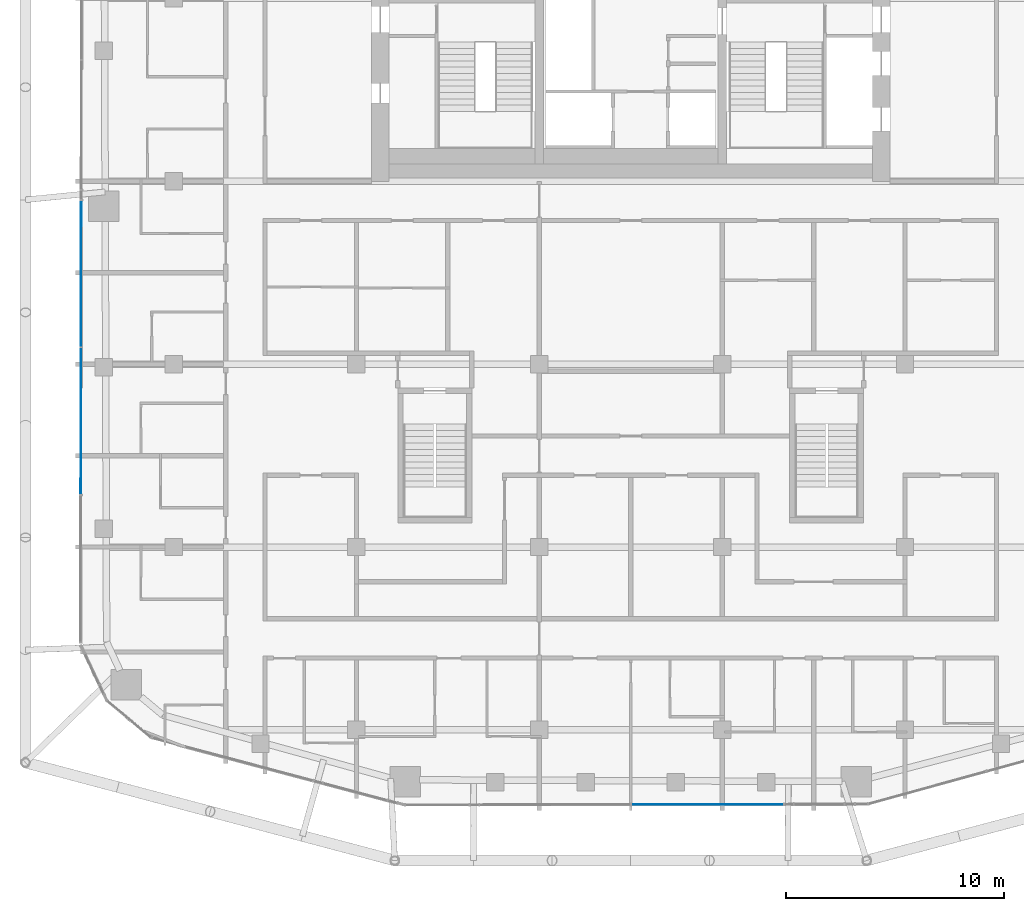
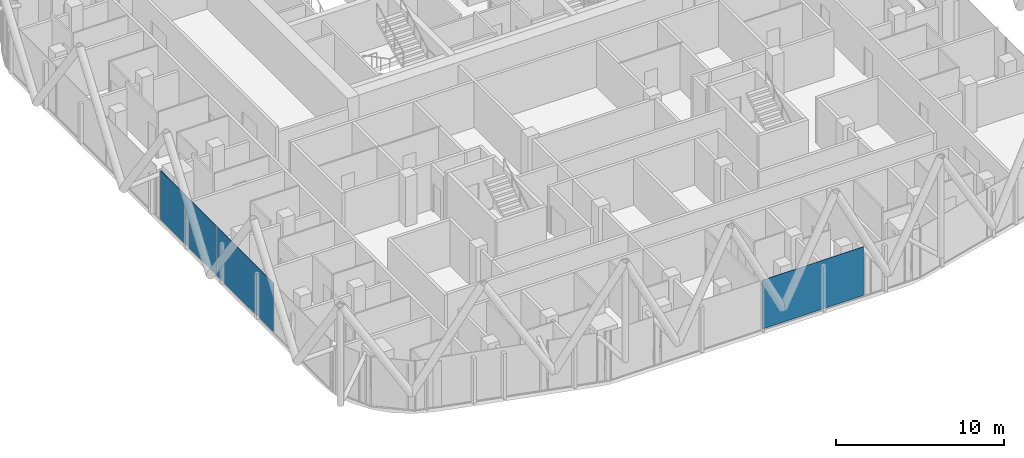
# One storey, part 15 of 31: 3 plates, 2 elements without a shape of their own.
"""IFC4 building model written with IfcOpenShell, lengths in metres."""

from ifc_helpers import new_model, si_unit, direction, frame, origin, origin_2d, place, context, subcontext, project, spatial, rectangle, extrude, material, layer, layer_set, type_object, element, aggregate, save


model = new_model("IFC4")

# Units and contexts
model_context = context("Model", 3, precision=1e-05, world=origin(), true_north=direction((0.0, 1.0)))
body_context = subcontext(model_context, "Body", "Model", "MODEL_VIEW")
ifc_project = project(units=[si_unit("LENGTHUNIT", "METRE"), si_unit("AREAUNIT", "SQUARE_METRE"), si_unit("VOLUMEUNIT", "CUBIC_METRE"), si_unit("PLANEANGLEUNIT", "RADIAN"), si_unit("MASSUNIT", "GRAM", prefix="KILO")], contexts=[model_context])

# Site, building, storey
site_placement = place(None, origin())
site = spatial("IfcSite", under=ifc_project, at=site_placement, CompositionType="ELEMENT")
building_placement = place(site_placement, origin())
building = spatial("IfcBuilding", under=site, at=building_placement, Name="Marenta Gate Hotel Tower", CompositionType="ELEMENT")
storey_placement = place(building_placement, frame((0.0, 0.0, 220.10009765625)))
storey = spatial("IfcBuildingStorey", under=building, at=storey_placement, Name="L51", CompositionType="ELEMENT", Elevation=220.10009765625)

# Curtain wall, plates
ifc_material_1 = material(Name="Tinted insulated glass in bronze anodised frame", Category="glass")
ifc_layer_1 = layer(ifc_material_1, 0.1201171875)
ifc_layer_set_1 = layer_set([ifc_layer_1], Name="Tinted insulated glass in bronze anodised frame")
curtain_wall_type = type_object("IfcCurtainWallType", Name="Tower unitised curtain wall CW1", PredefinedType="NOTDEFINED", material=ifc_layer_set_1)
curtain_wall_1_placement = place(storey_placement, origin())
curtain_wall_1 = element("IfcCurtainWall", 1, at=curtain_wall_1_placement, inside=storey, type_object=curtain_wall_type, Name="CW1 run G08", PredefinedType="NOTDEFINED")
ifc_material_2 = material(Name="Tinted insulated glass", Category="glass")
ifc_layer_2 = layer(ifc_material_2, 0.028076171875)
ifc_layer_set_2 = layer_set([ifc_layer_2], Name="Tinted insulated glass")
plate_type = type_object("IfcPlateType", Name="Glass panel CW1 28 mm tinted insulated unit", PredefinedType="CURTAIN_PANEL", material=ifc_layer_set_2)
plate_1_placement = place(storey_placement, frame((-25.246337890625, -4.238525390625, 0.059814453125), z_axis=(0.0, 0.0, 1.0), x_axis=(-0.001564651623, -0.999998775932, 0.0)))
plate_1 = element("IfcPlate", 2, at=plate_1_placement, type_object=plate_type, Name="CW1 panel 1.1", PredefinedType="CURTAIN_PANEL", context=body_context, shape_type="SweptSolid", body=[
    extrude(rectangle(XDim=6.7060546875, YDim=0.028076171875, at=origin_2d()), origin(), (0.0, 0.0, 1.0), 3.5400390625),
])
plate_2_placement = place(storey_placement, frame((-25.2568359375, -11.01953125, 0.059814453125), z_axis=(0.0, 0.0, 1.0), x_axis=(-0.001564651623, -0.999998775932, 0.0)))
plate_2 = element("IfcPlate", 3, at=plate_2_placement, type_object=plate_type, Name="CW1 panel 2.1", PredefinedType="CURTAIN_PANEL", context=body_context, shape_type="SweptSolid", body=[
    extrude(rectangle(XDim=6.736083984375, YDim=0.028076171875, at=origin_2d()), origin(), (0.0, 0.0, 1.0), 3.5400390625),
])
aggregate(curtain_wall_1, [plate_1, plate_2])

# Curtain wall, plate
curtain_wall_2_placement = place(storey_placement, origin())
curtain_wall_2 = element("IfcCurtainWall", 4, at=curtain_wall_2_placement, inside=storey, type_object=curtain_wall_type, Name="CW1 run G21", PredefinedType="NOTDEFINED")
plate_3_placement = place(storey_placement, frame((3.524658203125, -28.62451171875, 0.059814453125), z_axis=(0.0, 0.0, 1.0), x_axis=(0.99999866205, 0.001635817263, 0.0)))
plate_3 = element("IfcPlate", 5, at=plate_3_placement, type_object=plate_type, Name="CW1 panel 2.1", PredefinedType="CURTAIN_PANEL", context=body_context, shape_type="SweptSolid", body=[
    extrude(rectangle(XDim=6.969482421875, YDim=0.028076171875, at=origin_2d()), origin(), (0.0, 0.0, 1.0), 3.5400390625),
])
aggregate(curtain_wall_2, [plate_3])

save(model, "model.ifc")
